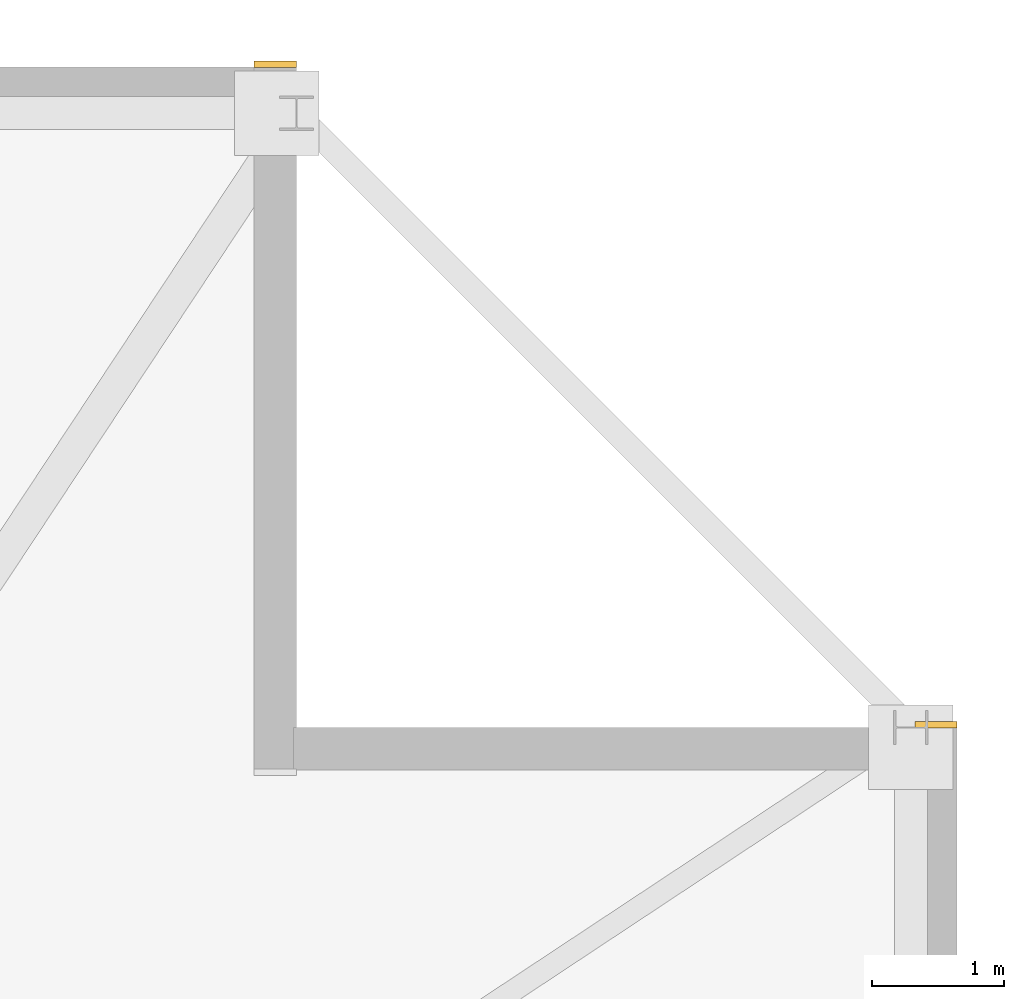
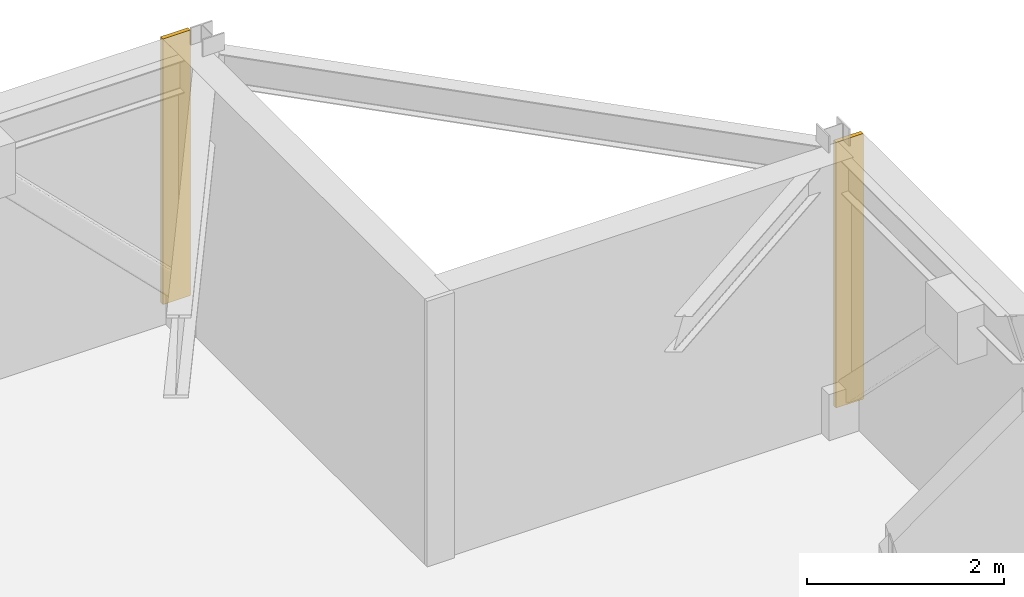
# One storey, part 16 of 16: 2 coverings.
"""IFC4 building model written with IfcOpenShell, lengths in metres."""

from ifc_helpers import new_model, si_unit, direction, frame, frame_2d, origin, place, context, subcontext, project, spatial, rectangle, extrude, material, layer, layer_set, type_object, element, save


model = new_model("IFC4")

# Units and contexts
model_context = context("Model", 3, precision=1e-05, world=origin(), true_north=direction((0.0, 1.0)))
body_context = subcontext(model_context, "Body", "Model", "MODEL_VIEW")
ifc_project = project(units=[si_unit("LENGTHUNIT", "METRE"), si_unit("AREAUNIT", "SQUARE_METRE"), si_unit("VOLUMEUNIT", "CUBIC_METRE"), si_unit("PLANEANGLEUNIT", "RADIAN"), si_unit("MASSUNIT", "GRAM", prefix="KILO")], contexts=[model_context])

# Site, building, storey
site_placement = place(None, origin())
site = spatial("IfcSite", under=ifc_project, at=site_placement, CompositionType="ELEMENT")
building_placement = place(site_placement, origin())
building = spatial("IfcBuilding", under=site, at=building_placement, Name="Cairnveth Concourse Tower", CompositionType="ELEMENT")
storey_placement = place(building_placement, frame((0.0, 0.0, 255.0)))
storey = spatial("IfcBuildingStorey", under=building, at=storey_placement, Name="L70", CompositionType="ELEMENT", Elevation=255.0)

# Coverings
ifc_material = material(Name="Dressed Melbourne Bluestone Cladding", Category="masonry")
ifc_layer = layer(ifc_material, 0.050048828125)
ifc_layer_set = layer_set([ifc_layer], Name="Dressed Melbourne Bluestone Cladding")
covering_type = type_object("IfcCoveringType", Name="DRESSED BLUESTONE PLINTH CLADDING 50", PredefinedType="CLADDING", material=ifc_layer_set)
for number, where, z_axis, x_axis, name in (
    (1, (69.179931640625, 61.52001953125, 0.0), (0.0, 0.0, 1.0), (1.0, 0.0, 0.0), "Melbourne Bluestone Corner Quoin L70-1059"),
    (2, (74.179931640625, 56.52001953125, 0.0), (0.0, 0.0, 1.0), (1.0, 0.0, 0.0), "Melbourne Bluestone Corner Quoin L70-1061"),
):
    element("IfcCovering", number, at=place(storey_placement, frame(where, z_axis=z_axis, x_axis=x_axis)), inside=storey, type_object=covering_type, Name=name, PredefinedType="CLADDING", context=body_context, shape_type="SweptSolid", body=[
        extrude(rectangle(XDim=0.320068359375, YDim=0.050048828125, at=frame_2d((0.16015625, 0.0))), origin(), (0.0, 0.0, 1.0), 3.2900390625),
    ])

save(model, "model.ifc")
